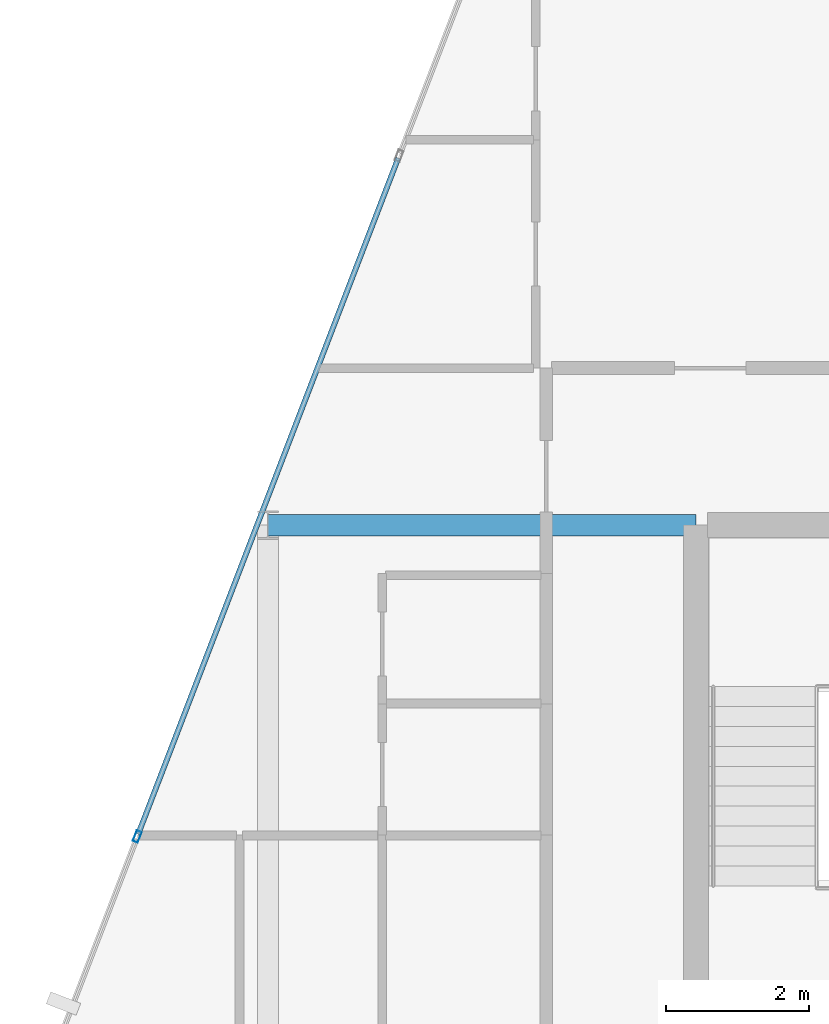
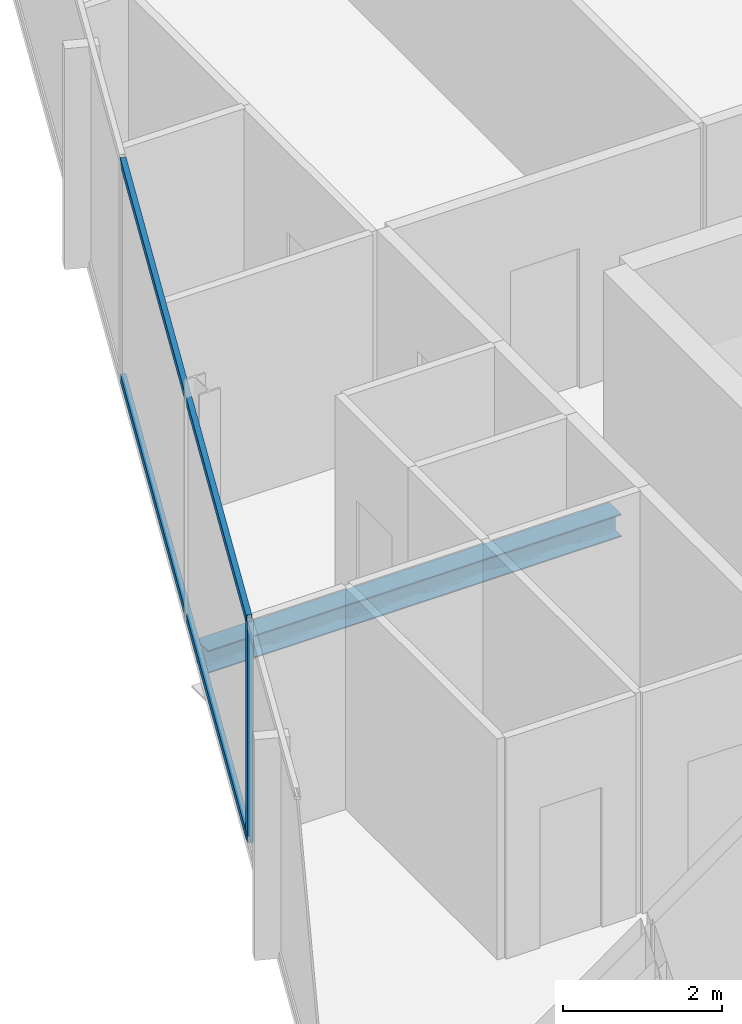
# One storey, part 10 of 28: 3 members, 1 beam, 1 element without a shape of its own.
"""IFC4 building model written with IfcOpenShell, lengths in metres."""

import ifcopenshell
import ifcopenshell.guid

model = None  # the IFC model being written
_history = None  # IfcOwnerHistory: only IFC2X3 demands one
_inside = {}  # id of a spatial element -> (the spatial element, [elements in it])
_under = {}  # id of a project, library or spatial element -> (it, [spatial elements below it])
_declared = {}  # id of a project -> (the project, [libraries it declares])
_typed = {}  # id of a type object -> (the type object, [elements of that type])
_made_of = {}  # id of a material, layer set ... -> (it, [elements and type objects made of it])


def new_model(schema):
    """Start an empty IFC model of exactly this schema.

    Asked for "IFC4X3", IfcOpenShell would pick the latest addendum, in which some entities
    have other attributes; the version numbers below select the first issue.
    IFC2X3 requires an IfcOwnerHistory on every rooted entity: one is made here for all.
    """
    global model, _history
    if schema == "IFC4X3":
        model = ifcopenshell.file(schema_version=(4, 3, 0, 0))
    else:
        model = ifcopenshell.file(schema=schema)
    _inside.clear()
    _under.clear()
    _declared.clear()
    _typed.clear()
    _made_of.clear()
    _history = None
    if model.schema == "IFC2X3":
        org = make("IfcOrganization", Name="unknown")
        user = make(
            "IfcPersonAndOrganization",
            ThePerson=make("IfcPerson", FamilyName="unknown"),
            TheOrganization=org,
        )
        app = make(
            "IfcApplication",
            ApplicationDeveloper=org,
            Version="unknown",
            ApplicationFullName="unknown",
            ApplicationIdentifier="unknown",
        )
        _history = make(
            "IfcOwnerHistory",
            OwningUser=user,
            OwningApplication=app,
            ChangeAction="ADDED",
            CreationDate=0,
        )
    return model


def make(cls, **values):
    """One entity of the class cls with the attributes given. An attribute that is None is left unset."""
    return model.create_entity(
        cls, **{name: value for name, value in values.items() if value is not None}
    )


def rooted(cls, **values):
    """An entity with a GlobalId (a new one), such as an element, a storey or a relation."""
    return make(cls, GlobalId=ifcopenshell.guid.new(), OwnerHistory=_history, **values)


def si_unit(unit_type, name, prefix=None):
    """IfcSIUnit, for example si_unit("LENGTHUNIT", "METRE", prefix="MILLI")."""
    return make("IfcSIUnit", UnitType=unit_type, Prefix=prefix, Name=name)


def assignment(units):
    """IfcUnitAssignment: the units of a project."""
    return None if units is None else make("IfcUnitAssignment", Units=units)


def point(xyz):
    """IfcCartesianPoint."""
    return None if xyz is None else make("IfcCartesianPoint", Coordinates=xyz)


def direction(xyz):
    """IfcDirection."""
    return None if xyz is None else make("IfcDirection", DirectionRatios=xyz)


def frame(location, z_axis=None, x_axis=None):
    """IfcAxis2Placement3D, a coordinate frame: its origin and axes. An axis left out is left unset."""
    return make(
        "IfcAxis2Placement3D",
        Location=point(location),
        Axis=direction(z_axis),
        RefDirection=direction(x_axis),
    )


def frame_2d(location, x_axis=None):
    """IfcAxis2Placement2D, a coordinate frame in the plane: its origin and x axis."""
    return make(
        "IfcAxis2Placement2D", Location=point(location), RefDirection=direction(x_axis)
    )


def origin():
    """The frame at (0, 0, 0) with its axes left unset."""
    return frame((0.0, 0.0, 0.0))


def origin_2d():
    """The frame at (0, 0) in the plane with its x axis left unset."""
    return frame_2d((0.0, 0.0))


def place(relative_to, where):
    """IfcLocalPlacement: puts the frame where relative to a parent placement (None: the world)."""
    return make(
        "IfcLocalPlacement", PlacementRelTo=relative_to, RelativePlacement=where
    )


def context(
    kind, dimensions, precision=None, world=None, true_north=None, identifier=None
):
    """IfcGeometricRepresentationContext, for example the 3D "Model" context."""
    return make(
        "IfcGeometricRepresentationContext",
        ContextIdentifier=identifier,
        ContextType=kind,
        CoordinateSpaceDimension=dimensions,
        Precision=precision,
        WorldCoordinateSystem=world,
        TrueNorth=true_north,
    )


def subcontext(parent, identifier, kind, view, scale=None):
    """IfcGeometricRepresentationSubContext, for example "Body" below "Model"."""
    return make(
        "IfcGeometricRepresentationSubContext",
        ContextIdentifier=identifier,
        ContextType=kind,
        ParentContext=parent,
        TargetScale=scale,
        TargetView=view,
    )


def project(units=None, contexts=None):
    """IfcProject with its units and contexts."""
    return rooted(
        "IfcProject",
        Name="project",
        RepresentationContexts=contexts,
        UnitsInContext=assignment(units),
    )


def spatial(cls, under=None, at=None, **own):
    """A site, building, storey or space (cls), placed at a placement, below another one or the project."""
    s = rooted(cls, ObjectPlacement=at, **own)
    if under is not None:
        _under.setdefault(under.id(), (under, []))[1].append(s)
    return s


def profile(cls, at=None, kind="AREA", **sizes):
    """A parametric profile (cls). Its sizes go by their IFC names, for example OverallWidth=200.0."""
    return make(cls, ProfileType=kind, Position=at, **sizes)


def hollow_rectangle(**sizes):
    """IfcRectangleHollowProfileDef."""
    return profile("IfcRectangleHollowProfileDef", **sizes)


def i_section(**sizes):
    """IfcIShapeProfileDef."""
    return profile("IfcIShapeProfileDef", **sizes)


def extrude(swept, where, along, depth):
    """IfcExtrudedAreaSolid: the profile swept, set in the frame where, extruded along a direction by depth."""
    return make(
        "IfcExtrudedAreaSolid",
        SweptArea=swept,
        Position=where,
        ExtrudedDirection=direction(along),
        Depth=depth,
    )


def shape(context_of_items, identifier, shape_type, items):
    """IfcShapeRepresentation: the items that make up one representation, for example the "Body"."""
    return make(
        "IfcShapeRepresentation",
        ContextOfItems=context_of_items,
        RepresentationIdentifier=identifier,
        RepresentationType=shape_type,
        Items=items,
    )


def material(Name=None, Category=None):
    """IfcMaterial."""
    return make("IfcMaterial", Name=Name, Category=Category)


def layer(
    of_material, thickness, ventilated=None, Name=None, Category=None, Priority=None
):
    """IfcMaterialLayer: one layer of a wall or slab, of a material (None: an air gap)."""
    return make(
        "IfcMaterialLayer",
        Material=of_material,
        LayerThickness=thickness,
        IsVentilated=ventilated,
        Name=Name,
        Category=Category,
        Priority=Priority,
    )


def layer_set(layers, Name=None):
    """IfcMaterialLayerSet."""
    return make("IfcMaterialLayerSet", MaterialLayers=layers, LayerSetName=Name)


def material_profile(
    of_material, cross_section, Name=None, Category=None, Priority=None
):
    """IfcMaterialProfile: a cross section and its material."""
    return make(
        "IfcMaterialProfile",
        Name=Name,
        Material=of_material,
        Profile=cross_section,
        Priority=Priority,
        Category=Category,
    )


def profile_set(profiles, Name=None, composite=None):
    """IfcMaterialProfileSet."""
    return make(
        "IfcMaterialProfileSet",
        Name=Name,
        MaterialProfiles=profiles,
        CompositeProfile=composite,
    )


def made_of(thing, what):
    """Note that an element or type object is made of a material, layer set ...; save() writes the relation."""
    if what is not None:
        _made_of.setdefault(what.id(), (what, []))[1].append(thing)
    return thing


def type_object(cls, material=None, **own):
    """A type object (cls), such as IfcWallType, which elements share."""
    return made_of(rooted(cls, **own), material)


def element(
    cls,
    number,
    at=None,
    inside=None,
    cuts=None,
    type_object=None,
    material=None,
    context=None,
    identifier="Body",
    shape_type=None,
    held_by="IfcProductDefinitionShape",
    body=None,
    shapes=None,
    **own,
):
    """One element of the class cls, such as IfcWall. Its Tag is "e" and its number.

    at: its placement. inside: the storey or other place that contains it. cuts: it is an
    opening in that element (IfcRelVoidsElement). A single representation is given by context,
    identifier, shape_type and body (its items); several are given by shapes. held_by: the class
    of the entity that holds the representations. save() writes the other relations.
    """
    e = rooted(cls, Tag="e%d" % number, ObjectPlacement=at, **own)
    if body is not None:
        shapes = [shape(context, identifier, shape_type, body)]
    if shapes is not None:
        e.Representation = make(held_by, Representations=shapes)
    if inside is not None:
        _inside.setdefault(inside.id(), (inside, []))[1].append(e)
    if cuts is not None:
        rooted(
            "IfcRelVoidsElement", RelatingBuildingElement=cuts, RelatedOpeningElement=e
        )
    if type_object is not None:
        _typed.setdefault(type_object.id(), (type_object, []))[1].append(e)
    return made_of(e, material)


def aggregate(whole, parts):
    """IfcRelAggregates: a whole, such as a stair, and the parts it consists of."""
    return rooted("IfcRelAggregates", RelatingObject=whole, RelatedObjects=parts)


def save(model, path):
    """Write the relations noted so far, then the file.

    IfcRelAggregates (storeys below a building ...), IfcRelContainedInSpatialStructure (elements
    in a storey), IfcRelDefinesByType, IfcRelAssociatesMaterial and IfcRelDeclares: one each for
    every whole, place, type object, material and project.
    """
    for whole, parts in _under.values():
        aggregate(whole, parts)
    for where, things in _inside.values():
        rooted(
            "IfcRelContainedInSpatialStructure",
            RelatedElements=things,
            RelatingStructure=where,
        )
    for kind, things in _typed.values():
        rooted("IfcRelDefinesByType", RelatedObjects=things, RelatingType=kind)
    for what, things in _made_of.values():
        rooted("IfcRelAssociatesMaterial", RelatedObjects=things, RelatingMaterial=what)
    for by, libraries in _declared.values():
        rooted("IfcRelDeclares", RelatingContext=by, RelatedDefinitions=libraries)
    model.write(path)


model = new_model("IFC4")

# Units and contexts
model_context = context("Model", 3, precision=1e-05, world=origin(), true_north=direction((0.0, 1.0)))
body_context = subcontext(model_context, "Body", "Model", "MODEL_VIEW")
ifc_project = project(units=[si_unit("LENGTHUNIT", "METRE"), si_unit("AREAUNIT", "SQUARE_METRE"), si_unit("VOLUMEUNIT", "CUBIC_METRE"), si_unit("PLANEANGLEUNIT", "RADIAN"), si_unit("MASSUNIT", "GRAM", prefix="KILO")], contexts=[model_context])

# Site, building, storey
site_placement = place(None, origin())
site = spatial("IfcSite", under=ifc_project, at=site_placement, CompositionType="ELEMENT")
building_placement = place(site_placement, origin())
building = spatial("IfcBuilding", under=site, at=building_placement, Name="Keshet Zoharim Tower", CompositionType="ELEMENT")
storey_placement = place(building_placement, frame((0.0, 0.0, 265.800048828125)))
storey = spatial("IfcBuildingStorey", under=building, at=storey_placement, Name="L66", CompositionType="ELEMENT", Elevation=265.800048828125)

# Beam
ifc_material_1 = material(Name="Steel S355", Category="steel")
ifc_material_profile_1 = material_profile(ifc_material_1, i_section(OverallWidth=0.300048828125, OverallDepth=0.35009765625, WebThickness=0.010009765625, FlangeThickness=0.017578125, FilletRadius=0.027099609375, at=origin_2d()), Name="HEA360")
ifc_profile_set_1 = profile_set([ifc_material_profile_1], Name="Steel S355")
beam_type = type_object("IfcBeamType", Name="BM-PRI-HA360", PredefinedType="BEAM", material=ifc_profile_set_1)
beam_placement = place(storey_placement, frame((9.0, 37.89990234375, -0.485107421875), z_axis=(1.0, 0.0, 0.0), x_axis=(0.0, 1.0, 0.0)))
element("IfcBeam", 1, at=beam_placement, inside=storey, type_object=beam_type, Name="L66 Primary Girder X-008", PredefinedType="BEAM", context=body_context, shape_type="SweptSolid", body=[
    extrude(i_section(OverallWidth=0.300048828125, OverallDepth=0.35009765625, WebThickness=0.010009765625, FlangeThickness=0.017578125, FilletRadius=0.027099609375, at=origin_2d()), origin(), (0.0, 0.0, 1.0), 6.0),
])

# Curtain wall, members
ifc_material_2 = material(Name="Aluminium 6063-T6", Category="aluminium")
ifc_layer = layer(ifc_material_2, 0.260009765625)
ifc_layer_set = layer_set([ifc_layer], Name="Aluminium 6063-T6")
curtain_wall_type = type_object("IfcCurtainWallType", Name="CW-SYS-06", PredefinedType="NOTDEFINED", material=ifc_layer_set)
curtain_wall_placement = place(storey_placement, origin())
curtain_wall = element("IfcCurtainWall", 2, at=curtain_wall_placement, inside=storey, type_object=curtain_wall_type, Name="L66 Unitised Curtain Wall 03", PredefinedType="NOTDEFINED")
ifc_material_profile_2 = material_profile(ifc_material_2, hollow_rectangle(XDim=0.074951171875, YDim=0.159912109375, WallThickness=0.00390625, at=origin_2d()), Name="MUL-75x160")
ifc_profile_set_2 = profile_set([ifc_material_profile_2], Name="Aluminium 6063-T6")
member_type_1 = type_object("IfcMemberType", Name="CWM-M15", PredefinedType="MULLION", material=ifc_profile_set_2)
member_1_placement = place(storey_placement, frame((7.1669921875, 33.53466796875, 0.0), z_axis=(0.0, 0.0, 1.0), x_axis=(-0.933341404361, 0.358990003907, 0.0)))
member_1 = element("IfcMember", 3, at=member_1_placement, type_object=member_type_1, Name="CW-06 mullion 2", PredefinedType="MULLION", context=body_context, shape_type="SweptSolid", body=[
    extrude(hollow_rectangle(XDim=0.074951171875, YDim=0.159912109375, WallThickness=0.00390625, at=origin_2d()), origin(), (0.0, 0.0, 1.0), 3.389892578125),
])
ifc_material_profile_3 = material_profile(ifc_material_2, hollow_rectangle(XDim=0.074951171875, YDim=0.1201171875, WallThickness=0.00390625, at=origin_2d()), Name="TRN-75x120")
ifc_profile_set_3 = profile_set([ifc_material_profile_3], Name="Aluminium 6063-T6")
member_type_2 = type_object("IfcMemberType", Name="CWT-T12", PredefinedType="USERDEFINED", material=ifc_profile_set_3)
member_2_placement = place(storey_placement, frame((7.179443359375, 33.5673828125, 0.034912109375), z_axis=(0.359003248899, 0.933336309848, 0.0), x_axis=(-0.933336309848, 0.359003248899, 0.0)))
member_2 = element("IfcMember", 4, at=member_2_placement, type_object=member_type_2, Name="CW-06 transom 2.1", ObjectType="TRANSOM", PredefinedType="USERDEFINED", context=body_context, shape_type="SweptSolid", body=[
    extrude(hollow_rectangle(XDim=0.074951171875, YDim=0.1201171875, WallThickness=0.00390625, at=origin_2d()), origin(), (0.0, 0.0, 1.0), 10.153076171875),
])
member_3_placement = place(storey_placement, frame((7.179443359375, 33.5673828125, 3.35498046875), z_axis=(0.359003248899, 0.933336309848, 0.0), x_axis=(-0.933336309848, 0.359003248899, 0.0)))
member_3 = element("IfcMember", 5, at=member_3_placement, type_object=member_type_2, Name="CW-06 transom 2.2", ObjectType="TRANSOM", PredefinedType="USERDEFINED", context=body_context, shape_type="SweptSolid", body=[
    extrude(hollow_rectangle(XDim=0.074951171875, YDim=0.1201171875, WallThickness=0.00390625, at=origin_2d()), origin(), (0.0, 0.0, 1.0), 10.153076171875),
])
aggregate(curtain_wall, [member_1, member_2, member_3])

save(model, "model.ifc")
